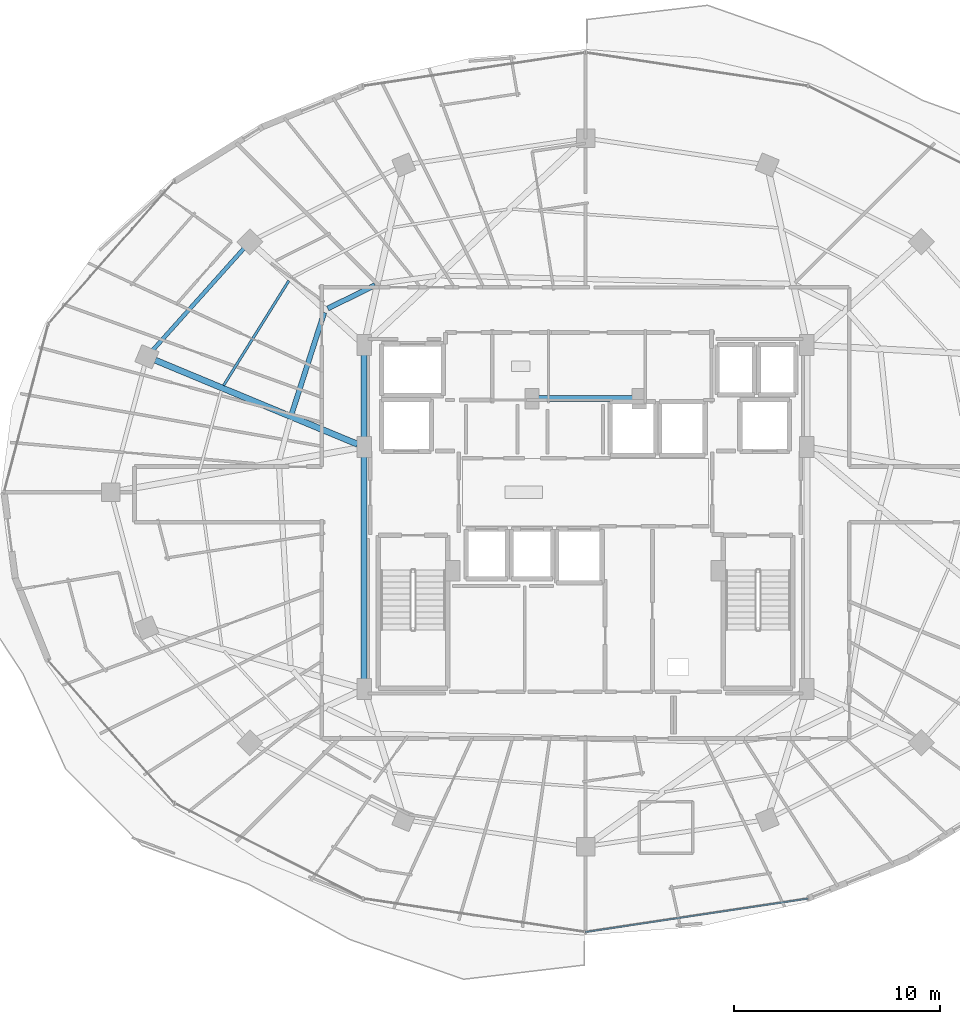
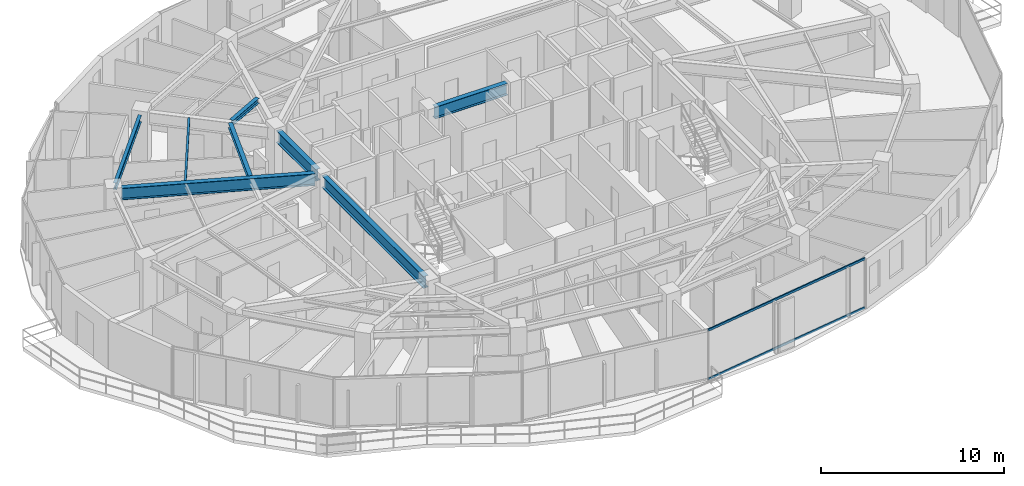
# One storey, part 10 of 33: 8 beams, 2 members, 1 element without a shape of its own.
"""IFC4 building model written with IfcOpenShell, lengths in metres."""

from ifc_helpers import new_model, si_unit, direction, frame, origin, origin_2d, place, context, subcontext, project, spatial, hollow_rectangle, i_section, extrude, material, material_profile, profile_set, type_object, element, aggregate, save


model = new_model("IFC4")

# Units and contexts
model_context = context("Model", 3, precision=1e-05, world=origin(), true_north=direction((0.0, 1.0)))
body_context = subcontext(model_context, "Body", "Model", "MODEL_VIEW")
ifc_project = project(units=[si_unit("LENGTHUNIT", "METRE"), si_unit("AREAUNIT", "SQUARE_METRE"), si_unit("VOLUMEUNIT", "CUBIC_METRE"), si_unit("PLANEANGLEUNIT", "RADIAN"), si_unit("MASSUNIT", "GRAM", prefix="KILO")], contexts=[model_context])

# Site, building, storey
site_placement = place(None, origin())
site = spatial("IfcSite", under=ifc_project, at=site_placement, CompositionType="ELEMENT")
building_placement = place(site_placement, origin())
building = spatial("IfcBuilding", under=site, at=building_placement, Name="Vorneva Point Tower", CompositionType="ELEMENT")
storey_placement = place(building_placement, frame((0.0, 0.0, 203.64990234375)))
storey = spatial("IfcBuildingStorey", under=building, at=storey_placement, Name="L55", CompositionType="ELEMENT", Elevation=203.64990234375)

# Beams
ifc_material_1 = material(Name="Steel S355", Category="steel")
ifc_material_profile_1 = material_profile(ifc_material_1, i_section(OverallWidth=0.300048828125, OverallDepth=0.7880859375, WebThickness=0.014404296875, FlangeThickness=0.02197265625, at=origin_2d()), Name="80Sh1")
ifc_profile_set_1 = profile_set([ifc_material_profile_1], Name="Steel S355")
beam_type_1 = type_object("IfcBeamType", Name="BM-GRD-80Sh1", PredefinedType="USERDEFINED", material=ifc_profile_set_1)
beam_1_placement = place(storey_placement, frame((17.109130859375, 32.4140625, 2.89599609375), z_axis=(0.923445067159, -0.383730645035, 0.0), x_axis=(0.383730645035, 0.923445067159, 0.0)))
element("IfcBeam", 1, at=beam_1_placement, inside=storey, type_object=beam_type_1, Name="L55 Radial Primary Girder 08", ObjectType="GIRDER", PredefinedType="USERDEFINED", context=body_context, shape_type="SweptSolid", body=[
    extrude(i_section(OverallWidth=0.300048828125, OverallDepth=0.7880859375, WebThickness=0.014404296875, FlangeThickness=0.02197265625, at=origin_2d()), origin(), (0.0, 0.0, 1.0), 10.6416015625),
])
beam_2_placement = place(storey_placement, frame((27.25, 16.77001953125, 2.89599609375), z_axis=(0.0, 1.0, 0.0), x_axis=(-1.0, 0.0, 0.0)))
element("IfcBeam", 2, at=beam_2_placement, inside=storey, type_object=beam_type_1, Name="L55 Core Tie Girder CT1", ObjectType="GIRDER", PredefinedType="USERDEFINED", context=body_context, shape_type="SweptSolid", body=[
    extrude(i_section(OverallWidth=0.300048828125, OverallDepth=0.7880859375, WebThickness=0.014404296875, FlangeThickness=0.02197265625, at=origin_2d()), origin(), (0.0, 0.0, 1.0), 11.10986328125),
])
beam_3_placement = place(storey_placement, frame((27.25, 28.52001953125, 2.89599609375), z_axis=(0.0, 1.0, 0.0), x_axis=(-1.0, 0.0, 0.0)))
element("IfcBeam", 3, at=beam_3_placement, inside=storey, type_object=beam_type_1, Name="L55 Core Tie Girder CT2", ObjectType="GIRDER", PredefinedType="USERDEFINED", context=body_context, shape_type="SweptSolid", body=[
    extrude(i_section(OverallWidth=0.300048828125, OverallDepth=0.7880859375, WebThickness=0.014404296875, FlangeThickness=0.02197265625, at=origin_2d()), origin(), (0.0, 0.0, 1.0), 4.31005859375),
])
beam_4_placement = place(storey_placement, frame((35.719970703125, 30.550048828125, 2.89599609375), z_axis=(1.0, 0.0, 0.0), x_axis=(0.0, 1.0, 0.0)))
element("IfcBeam", 4, at=beam_4_placement, inside=storey, type_object=beam_type_1, Name="L55 Core Tie Girder CT8", ObjectType="GIRDER", PredefinedType="USERDEFINED", context=body_context, shape_type="SweptSolid", body=[
    extrude(i_section(OverallWidth=0.300048828125, OverallDepth=0.7880859375, WebThickness=0.014404296875, FlangeThickness=0.02197265625, at=origin_2d()), origin(), (0.0, 0.0, 1.0), 4.56005859375),
])
ifc_material_profile_2 = material_profile(ifc_material_1, i_section(OverallWidth=0.1240234375, OverallDepth=0.248046875, WebThickness=0.0048828125, FlangeThickness=0.008056640625, at=origin_2d()), Name="25B1")
ifc_profile_set_2 = profile_set([ifc_material_profile_2], Name="Steel S355")
beam_type_2 = type_object("IfcBeamType", Name="BM-JST-25B1", PredefinedType="JOIST", material=ifc_profile_set_2)
beam_5_placement = place(storey_placement, frame((23.59375, 36.26953125, 3.166015625), z_axis=(-0.528797190542, -0.848748214298, 0.0), x_axis=(0.848748214298, -0.528797190542, 0.0)))
element("IfcBeam", 5, at=beam_5_placement, inside=storey, type_object=beam_type_2, Name="L55 Secondary Floor Beam 1.07", PredefinedType="JOIST", context=body_context, shape_type="SweptSolid", body=[
    extrude(i_section(OverallWidth=0.1240234375, OverallDepth=0.248046875, WebThickness=0.0048828125, FlangeThickness=0.008056640625, at=origin_2d()), origin(), (0.0, 0.0, 1.0), 5.9921875),
])
ifc_material_profile_3 = material_profile(ifc_material_1, i_section(OverallWidth=0.2490234375, OverallDepth=0.333984375, WebThickness=0.008056640625, FlangeThickness=0.010986328125, at=origin_2d()), Name="35Sh1")
ifc_profile_set_3 = profile_set([ifc_material_profile_3], Name="Steel S355")
beam_type_3 = type_object("IfcBeamType", Name="BM-SEC-35Sh1", PredefinedType="BEAM", material=ifc_profile_set_3)
beam_6_placement = place(storey_placement, frame((27.78076171875, 36.0546875, 3.123046875), z_axis=(-0.896926742139, -0.442179170965, 0.0), x_axis=(0.442179170965, -0.896926742139, 0.0)))
element("IfcBeam", 6, at=beam_6_placement, inside=storey, type_object=beam_type_3, Name="L55 Secondary Floor Beam 2.06", PredefinedType="BEAM", context=body_context, shape_type="SweptSolid", body=[
    extrude(i_section(OverallWidth=0.2490234375, OverallDepth=0.333984375, WebThickness=0.008056640625, FlangeThickness=0.010986328125, at=origin_2d()), origin(), (0.0, 0.0, 1.0), 2.564208984375),
])
beam_7_placement = place(storey_placement, frame((25.31494140625, 34.728515625, 3.123046875), z_axis=(-0.305746065021, -0.952113093978, 0.0), x_axis=(0.952113093978, -0.305746065021, 0.0)))
element("IfcBeam", 7, at=beam_7_placement, inside=storey, type_object=beam_type_3, Name="L55 Secondary Floor Beam 2.07", PredefinedType="BEAM", context=body_context, shape_type="SweptSolid", body=[
    extrude(i_section(OverallWidth=0.2490234375, OverallDepth=0.333984375, WebThickness=0.008056640625, FlangeThickness=0.010986328125, at=origin_2d()), origin(), (0.0, 0.0, 1.0), 5.166259765625),
])
ifc_material_profile_4 = material_profile(ifc_material_1, i_section(OverallWidth=0.198974609375, OverallDepth=0.446044921875, WebThickness=0.008056640625, FlangeThickness=0.011962890625, at=origin_2d()), Name="45B1")
ifc_profile_set_4 = profile_set([ifc_material_profile_4], Name="Steel S355")
beam_type_4 = type_object("IfcBeamType", Name="BM-SPN-45B1", PredefinedType="SPANDREL", material=ifc_profile_set_4)
beam_8_placement = place(storey_placement, frame((21.410888671875, 37.838134765625, 3.067138671875), z_axis=(-0.66706970547, -0.744995307397, 0.0), x_axis=(0.744995307397, -0.66706970547, 0.0)))
element("IfcBeam", 8, at=beam_8_placement, inside=storey, type_object=beam_type_4, Name="L55 Perimeter Spandrel Ring Beam 07", PredefinedType="SPANDREL", context=body_context, shape_type="SweptSolid", body=[
    extrude(i_section(OverallWidth=0.198974609375, OverallDepth=0.446044921875, WebThickness=0.008056640625, FlangeThickness=0.011962890625, at=origin_2d()), origin(), (0.0, 0.0, 1.0), 6.6201171875),
])

# Curtain wall, members
ifc_material_2 = material(Name="Pale anodised aluminium", Category="aluminium")
curtain_wall_type = type_object("IfcCurtainWallType", Name="CW-RES-SYS", PredefinedType="NOTDEFINED", material=ifc_material_2)
curtain_wall_placement = place(storey_placement, origin())
curtain_wall = element("IfcCurtainWall", 9, at=curtain_wall_placement, inside=storey, type_object=curtain_wall_type, Name="L55 Unitised Curtain Wall CW-L55-R03", PredefinedType="NOTDEFINED")
ifc_material_profile_5 = material_profile(ifc_material_2, hollow_rectangle(XDim=0.074951171875, YDim=0.14990234375, WallThickness=0.00390625, at=origin_2d()), Name="AL-TRN 150x75x4")
ifc_profile_set_5 = profile_set([ifc_material_profile_5], Name="Pale anodised aluminium")
member_type = type_object("IfcMemberType", Name="CW-TRN-150", PredefinedType="USERDEFINED", material=ifc_profile_set_5)
member_1_placement = place(storey_placement, frame((38.0, 4.64990234375, 0.02001953125), z_axis=(0.988872333273, 0.148766624239, 0.0), x_axis=(-0.148766624239, 0.988872333273, 0.0)))
member_1 = element("IfcMember", 10, at=member_1_placement, type_object=member_type, Name="CW-L55-R03 Transom 04.1", ObjectType="TRANSOM", PredefinedType="USERDEFINED", context=body_context, shape_type="SweptSolid", body=[
    extrude(hollow_rectangle(XDim=0.074951171875, YDim=0.14990234375, WallThickness=0.00390625, at=origin_2d()), origin(), (0.0, 0.0, 1.0), 10.9248046875),
])
member_2_placement = place(storey_placement, frame((38.0, 4.64990234375, 3.27001953125), z_axis=(0.988872333273, 0.148766624239, 0.0), x_axis=(-0.148766624239, 0.988872333273, 0.0)))
member_2 = element("IfcMember", 11, at=member_2_placement, type_object=member_type, Name="CW-L55-R03 Transom 04.2", ObjectType="TRANSOM", PredefinedType="USERDEFINED", context=body_context, shape_type="SweptSolid", body=[
    extrude(hollow_rectangle(XDim=0.074951171875, YDim=0.14990234375, WallThickness=0.00390625, at=origin_2d()), origin(), (0.0, 0.0, 1.0), 10.9248046875),
])
aggregate(curtain_wall, [member_1, member_2])

save(model, "model.ifc")
